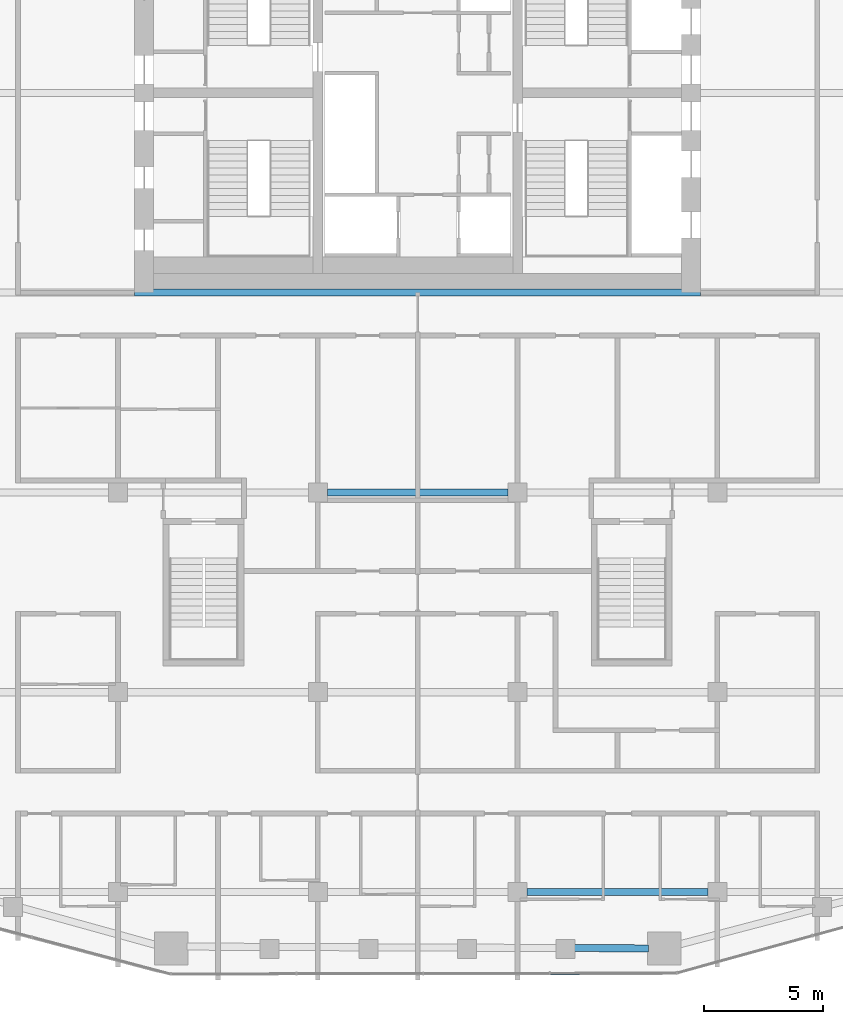
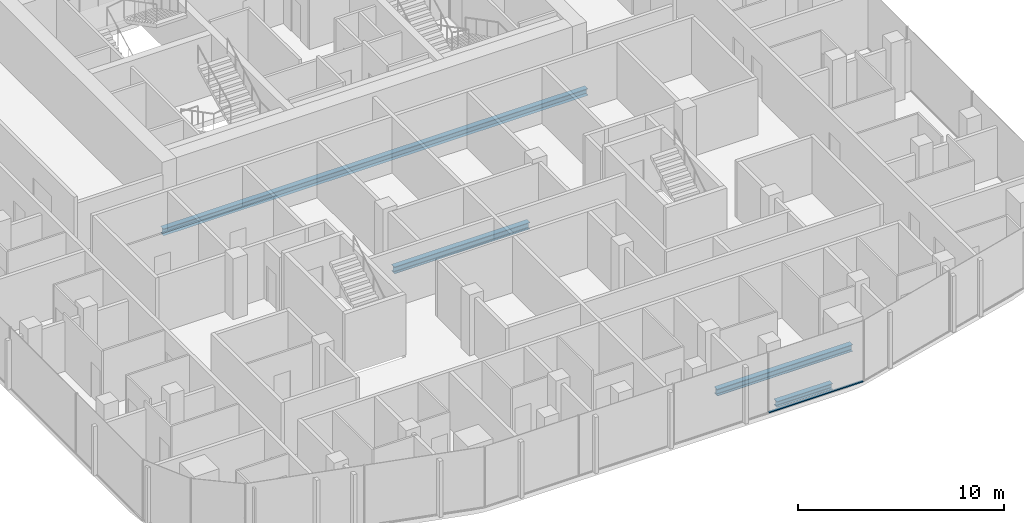
# One storey, part 5 of 22: 4 beams, 1 member, 1 element without a shape of its own.
"""IFC4 building model written with IfcOpenShell, lengths in metres."""

from ifc_helpers import new_model, si_unit, direction, frame, origin, origin_2d, place, context, subcontext, project, spatial, rectangle, i_section, extrude, material, layer, layer_set, material_profile, profile_set, type_object, element, aggregate, save


model = new_model("IFC4")

# Units and contexts
model_context = context("Model", 3, precision=1e-05, world=origin(), true_north=direction((0.0, 1.0)))
body_context = subcontext(model_context, "Body", "Model", "MODEL_VIEW")
ifc_project = project(units=[si_unit("LENGTHUNIT", "METRE"), si_unit("AREAUNIT", "SQUARE_METRE"), si_unit("VOLUMEUNIT", "CUBIC_METRE"), si_unit("PLANEANGLEUNIT", "RADIAN"), si_unit("MASSUNIT", "GRAM", prefix="KILO")], contexts=[model_context])

# Site, building, storey
site_placement = place(None, origin())
site = spatial("IfcSite", under=ifc_project, at=site_placement, CompositionType="ELEMENT")
building_placement = place(site_placement, origin())
building = spatial("IfcBuilding", under=site, at=building_placement, Name="Marenta Gate Hotel Tower", CompositionType="ELEMENT")
storey_placement = place(building_placement, frame((0.0, 0.0, 209.300048828125)))
storey = spatial("IfcBuildingStorey", under=building, at=storey_placement, Name="L48", CompositionType="ELEMENT", Elevation=209.300048828125)

# Beams
ifc_material_1 = material(Name="Steel S355", Category="steel")
ifc_material_profile_1 = material_profile(ifc_material_1, i_section(OverallWidth=0.300048828125, OverallDepth=0.340087890625, WebThickness=0.011962890625, FlangeThickness=0.021484375, FilletRadius=0.027099609375, at=origin_2d()), Name="HEB 340")
ifc_profile_set_1 = profile_set([ifc_material_profile_1], Name="Steel S355")
beam_type_1 = type_object("IfcBeamType", Name="Edge beam HEB 340", PredefinedType="SPANDREL", material=ifc_profile_set_1)
beam_1_placement = place(storey_placement, frame((9.706298828125, -27.570068359375, -0.429931640625), z_axis=(-0.999992678531, 0.003826602206, 0.0), x_axis=(-0.003826602206, -0.999992678531, 0.0)))
element("IfcBeam", 1, at=beam_1_placement, inside=storey, type_object=beam_type_1, Name="L48-EB-32", PredefinedType="SPANDREL", context=body_context, shape_type="SweptSolid", body=[
    extrude(i_section(OverallWidth=0.300048828125, OverallDepth=0.340087890625, WebThickness=0.011962890625, FlangeThickness=0.021484375, FilletRadius=0.027099609375, at=origin_2d()), origin(), (0.0, 0.0, 1.0), 3.126220703125),
])
ifc_material_2 = material(Name="Steel S355", Category="steel")
ifc_material_profile_2 = material_profile(ifc_material_2, i_section(OverallWidth=0.300048828125, OverallDepth=0.39990234375, WebThickness=0.013427734375, FlangeThickness=0.02392578125, FilletRadius=0.027099609375, at=origin_2d()), Name="HEB 400")
ifc_profile_set_2 = profile_set([ifc_material_profile_2], Name="Steel S355")
beam_type_2 = type_object("IfcBeamType", Name="Girder HEB 400", PredefinedType="BEAM", material=ifc_profile_set_2)
beam_2_placement = place(storey_placement, frame((4.60009765625, -25.199951171875, -0.4599609375), z_axis=(1.0, 0.0, 0.0), x_axis=(0.0, 1.0, 0.0)))
element("IfcBeam", 2, at=beam_2_placement, inside=storey, type_object=beam_type_2, Name="L48-GD-4", PredefinedType="BEAM", context=body_context, shape_type="SweptSolid", body=[
    extrude(i_section(OverallWidth=0.300048828125, OverallDepth=0.39990234375, WebThickness=0.013427734375, FlangeThickness=0.02392578125, FilletRadius=0.027099609375, at=origin_2d()), origin(), (0.0, 0.0, 1.0), 7.599853515625),
])
beam_3_placement = place(storey_placement, frame((-3.800048828125, -8.39990234375, -0.4599609375), z_axis=(1.0, 0.0, 0.0), x_axis=(0.0, 1.0, 0.0)))
element("IfcBeam", 3, at=beam_3_placement, inside=storey, type_object=beam_type_2, Name="L48-GD-16", PredefinedType="BEAM", context=body_context, shape_type="SweptSolid", body=[
    extrude(i_section(OverallWidth=0.300048828125, OverallDepth=0.39990234375, WebThickness=0.013427734375, FlangeThickness=0.02392578125, FilletRadius=0.027099609375, at=origin_2d()), origin(), (0.0, 0.0, 1.0), 7.60009765625),
])
beam_4_placement = place(storey_placement, frame((-11.89990234375, 0.0, -0.4599609375), z_axis=(1.0, 0.0, 0.0), x_axis=(0.0, 1.0, 0.0)))
element("IfcBeam", 4, at=beam_4_placement, inside=storey, type_object=beam_type_2, Name="L48-GD-22", PredefinedType="BEAM", context=body_context, shape_type="SweptSolid", body=[
    extrude(i_section(OverallWidth=0.300048828125, OverallDepth=0.39990234375, WebThickness=0.013427734375, FlangeThickness=0.02392578125, FilletRadius=0.027099609375, at=origin_2d()), origin(), (0.0, 0.0, 1.0), 23.7998046875),
])

# Curtain wall, member
ifc_material_3 = material(Name="Tinted insulated glass in bronze anodised frame", Category="glass")
ifc_layer = layer(ifc_material_3, 0.1201171875)
ifc_layer_set = layer_set([ifc_layer], Name="Tinted insulated glass in bronze anodised frame")
curtain_wall_type = type_object("IfcCurtainWallType", Name="Tower unitised curtain wall CW1", PredefinedType="NOTDEFINED", material=ifc_layer_set)
curtain_wall_placement = place(storey_placement, origin())
curtain_wall = element("IfcCurtainWall", 5, at=curtain_wall_placement, inside=storey, type_object=curtain_wall_type, Name="CW1 run G07", PredefinedType="NOTDEFINED")
ifc_material_4 = material(Name="Bronze anodised aluminium", Category="aluminium")
ifc_material_profile_3 = material_profile(ifc_material_4, rectangle(XDim=0.1201171875, YDim=0.06005859375, at=origin_2d()), Name="Transom CW1 60x120 bronze anodised aluminium")
ifc_profile_set_3 = profile_set([ifc_material_profile_3], Name="Bronze anodised aluminium")
member_type = type_object("IfcMemberType", Name="Transom CW1 60x120 bronze anodised aluminium", PredefinedType="USERDEFINED", material=ifc_profile_set_3)
member_placement = place(storey_placement, frame((5.583740234375, -28.62109375, 0.030029296875), z_axis=(0.999998695429, 0.001615283106, 0.0), x_axis=(-0.001615283106, 0.999998695429, 0.0)))
member = element("IfcMember", 6, at=member_placement, type_object=member_type, Name="CW1 transom 4.1", ObjectType="TRANSOM", PredefinedType="USERDEFINED", context=body_context, shape_type="SweptSolid", body=[
    extrude(rectangle(XDim=0.1201171875, YDim=0.06005859375, at=origin_2d()), origin(), (0.0, 0.0, 1.0), 5.2900390625),
])
aggregate(curtain_wall, [member])

save(model, "model.ifc")
